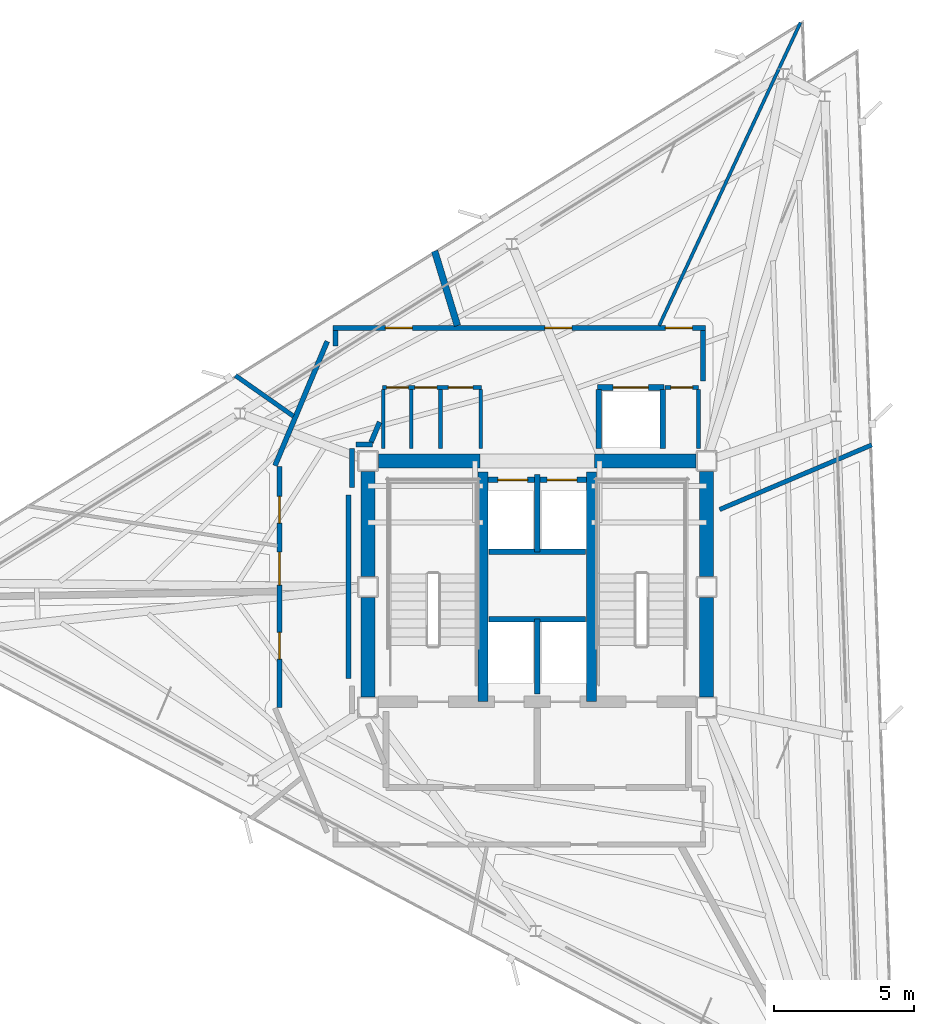
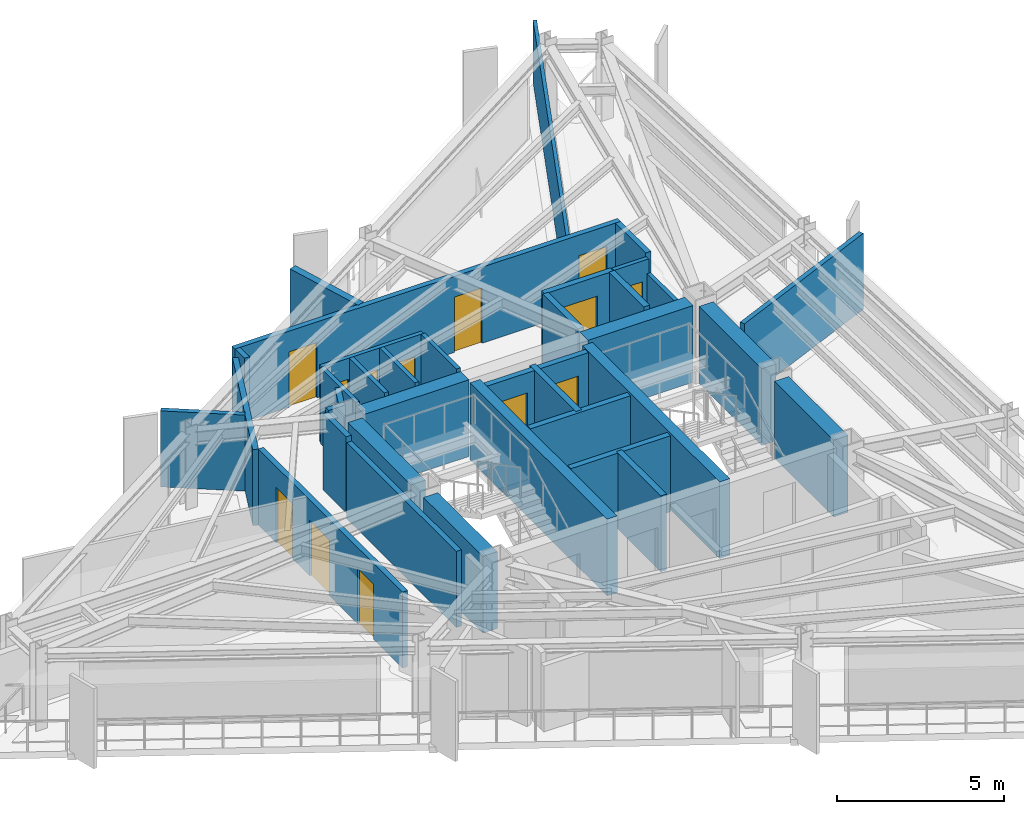
# One storey, part 9 of 13: 36 walls, 13 doors, 13 openings.
"""IFC4 building model written with IfcOpenShell, lengths in metres."""

from ifc_helpers import new_model, si_unit, direction, frame, frame_2d, origin, place, context, subcontext, project, spatial, rectangle, extrude, material, layer, layer_set, type_object, element, fill, save


model = new_model("IFC4")

# Units and contexts
model_context = context("Model", 3, precision=1e-05, world=origin(), true_north=direction((0.0, 1.0)))
body_context = subcontext(model_context, "Body", "Model", "MODEL_VIEW")
ifc_project = project(units=[si_unit("LENGTHUNIT", "METRE"), si_unit("AREAUNIT", "SQUARE_METRE"), si_unit("VOLUMEUNIT", "CUBIC_METRE"), si_unit("PLANEANGLEUNIT", "RADIAN"), si_unit("MASSUNIT", "GRAM", prefix="KILO")], contexts=[model_context])

# Site, building, storey
site_placement = place(None, origin())
site = spatial("IfcSite", under=ifc_project, at=site_placement, CompositionType="ELEMENT")
building_placement = place(site_placement, origin())
building = spatial("IfcBuilding", under=site, at=building_placement, Name="Rocaltana Carrier Exchange", CompositionType="ELEMENT")
storey_placement = place(building_placement, frame((0.0, 0.0, 199.679931640625)))
storey = spatial("IfcBuildingStorey", under=building, at=storey_placement, Name="L63", CompositionType="ELEMENT", Elevation=199.679931640625)

# Walls
ifc_material_1 = material(Name="Double Acoustic Gypsum Partition", Category="gypsum")
ifc_layer_1 = layer(ifc_material_1, 0.159912109375)
ifc_layer_set_1 = layer_set([ifc_layer_1], Name="Double Acoustic Gypsum Partition")
wall_type_1 = type_object("IfcWallType", Name="Acoustic Studio Partition 160 EI60", PredefinedType="PARTITIONING", material=ifc_layer_set_1)
wall_1_placement = place(storey_placement, frame((6.510009765625, 2.76318359375, 0.0), z_axis=(0.0, 0.0, 1.0), x_axis=(0.920487144923, 0.390772844543, 0.0)))
element("IfcWall", 1, at=wall_1_placement, inside=storey, type_object=wall_type_1, Name="L63 Suite Divider Wall D5", PredefinedType="PARTITIONING", context=body_context, shape_type="SweptSolid", body=[
    extrude(rectangle(XDim=5.904052734375, YDim=0.159912109375, at=frame_2d((2.9521484375, 0.0))), origin(), (0.0, 0.0, 1.0), 2.77294921875),
])
wall_2_placement = place(storey_placement, frame((-8.71044921875, 6.09912109375, 0.0), z_axis=(0.0, 0.0, 1.0), x_axis=(-0.819154754917, 0.573572565154, 0.0)))
element("IfcWall", 2, at=wall_2_placement, inside=storey, type_object=wall_type_1, Name="L63 Suite Divider Wall D8", PredefinedType="PARTITIONING", context=body_context, shape_type="SweptSolid", body=[
    extrude(rectangle(XDim=2.527099609375, YDim=0.159912109375, at=frame_2d((1.263671875, 0.0))), origin(), (0.0, 0.0, 1.0), 2.77294921875),
])
ifc_material_2 = material(Name="Concrete C50/60", Category="concrete")
ifc_layer_2 = layer(ifc_material_2, 0.35009765625)
ifc_layer_set_2 = layer_set([ifc_layer_2], Name="Concrete C50/60")
wall_type_2 = type_object("IfcWallType", Name="Core Internal Shear Wall 350", PredefinedType="SHEAR", material=ifc_layer_set_2)
for number, where, z_axis, x_axis, name in (
    (3, (-1.93994140625, -4.10009765625, 0.0), (0.0, 0.0, 1.0), (0.0, 1.0, 0.0), "L63 Core Shear Wall CW-STW"),
    (4, (1.93994140625, -4.10009765625, 0.0), (0.0, 0.0, 1.0), (0.0, 1.0, 0.0), "L63 Core Shear Wall CW-STE"),
):
    element("IfcWall", number, at=place(storey_placement, frame(where, z_axis=z_axis, x_axis=x_axis)), inside=storey, type_object=wall_type_2, Name=name, PredefinedType="SHEAR", context=body_context, shape_type="SweptSolid", body=[
        extrude(rectangle(XDim=8.2001953125, YDim=0.35009765625, at=frame_2d((4.10009765625, 0.0))), origin(), (0.0, 0.0, 1.0), 2.798095703125),
    ])
ifc_material_3 = material(Name="Concrete C50/60", Category="concrete")
ifc_layer_3 = layer(ifc_material_3, 0.5)
ifc_layer_set_3 = layer_set([ifc_layer_3], Name="Concrete C50/60")
wall_type_3 = type_object("IfcWallType", Name="Core Shear Wall 500", PredefinedType="SHEAR", material=ifc_layer_set_3)
wall_3_placement = place(storey_placement, frame((-6.050048828125, 0.375, 0.0), z_axis=(0.0, 0.0, 1.0), x_axis=(0.0, 1.0, 0.0)))
element("IfcWall", 5, at=wall_3_placement, inside=storey, type_object=wall_type_3, Name="L63 Core Shear Wall CW-WN", PredefinedType="SHEAR", context=body_context, shape_type="SweptSolid", body=[
    extrude(rectangle(XDim=3.75, YDim=0.5, at=frame_2d((1.875, 0.0))), origin(), (0.0, 0.0, 1.0), 2.798095703125),
])
wall_4_placement = place(storey_placement, frame((-6.050048828125, -3.925048828125, 0.0), z_axis=(0.0, 0.0, 1.0), x_axis=(0.0, 1.0, 0.0)))
element("IfcWall", 6, at=wall_4_placement, inside=storey, type_object=wall_type_3, Name="L63 Core Shear Wall CW-WS", PredefinedType="SHEAR", context=body_context, shape_type="SweptSolid", body=[
    extrude(rectangle(XDim=3.550048828125, YDim=0.5, at=frame_2d((1.77490234375, 0.0))), origin(), (0.0, 0.0, 1.0), 2.798095703125),
])
wall_5_placement = place(storey_placement, frame((6.050048828125, 0.375, 0.0), z_axis=(0.0, 0.0, 1.0), x_axis=(0.0, 1.0, 0.0)))
element("IfcWall", 7, at=wall_5_placement, inside=storey, type_object=wall_type_3, Name="L63 Core Shear Wall CW-EN", PredefinedType="SHEAR", context=body_context, shape_type="SweptSolid", body=[
    extrude(rectangle(XDim=3.75, YDim=0.5, at=frame_2d((1.875, 0.0))), origin(), (0.0, 0.0, 1.0), 2.798095703125),
])
wall_6_placement = place(storey_placement, frame((6.050048828125, -3.925048828125, 0.0), z_axis=(0.0, 0.0, 1.0), x_axis=(0.0, 1.0, 0.0)))
element("IfcWall", 8, at=wall_6_placement, inside=storey, type_object=wall_type_3, Name="L63 Core Shear Wall CW-ES", PredefinedType="SHEAR", context=body_context, shape_type="SweptSolid", body=[
    extrude(rectangle(XDim=3.550048828125, YDim=0.5, at=frame_2d((1.77490234375, 0.0))), origin(), (0.0, 0.0, 1.0), 2.798095703125),
])
for number, where, z_axis, x_axis, name in (
    (9, (-5.675048828125, 4.5, 0.0), (0.0, 0.0, 1.0), (1.0, 0.0, 0.0), "L63 Core Shear Wall CW-N1"),
    (10, (2.050048828125, 4.5, 0.0), (0.0, 0.0, 1.0), (1.0, 0.0, 0.0), "L63 Core Shear Wall CW-N2"),
):
    element("IfcWall", number, at=place(storey_placement, frame(where, z_axis=z_axis, x_axis=x_axis)), inside=storey, type_object=wall_type_3, Name=name, PredefinedType="SHEAR", context=body_context, shape_type="SweptSolid", body=[
        extrude(rectangle(XDim=3.625, YDim=0.5, at=frame_2d((1.8125, 0.0))), origin(), (0.0, 0.0, 1.0), 2.798095703125),
    ])

# Wall, openings, doors
ifc_material_4 = material(Name="Gypsum & Steel Stud Partition", Category="steel")
ifc_layer_4 = layer(ifc_material_4, 0.179931640625)
ifc_layer_set_4 = layer_set([ifc_layer_4], Name="Gypsum & Steel Stud Partition")
wall_type_4 = type_object("IfcWallType", Name="Corridor Fire Partition 180 EI60", PredefinedType="PARTITIONING", material=ifc_layer_set_4)
wall_7_placement = place(storey_placement, frame((-9.199951171875, -4.303466796875, 0.0), z_axis=(0.0, 0.0, 1.0), x_axis=(0.0, 1.0, 0.0)))
wall_7 = element("IfcWall", 11, at=wall_7_placement, inside=storey, type_object=wall_type_4, Name="L63 Corridor Partition 2", PredefinedType="PARTITIONING", context=body_context, shape_type="SweptSolid", body=[
    extrude(rectangle(XDim=8.60693359375, YDim=0.179931640625, at=frame_2d((4.303466796875, 0.0))), origin(), (0.0, 0.0, 1.0), 2.77294921875),
])
opening_1_placement = place(wall_7_placement, frame((1.720947265625, 0.0, 0.0)))
opening_1 = element("IfcOpeningElement", 12, at=opening_1_placement, cuts=wall_7, Name="Opening D-RM098", PredefinedType="OPENING", context=body_context, shape_type="SweptSolid", body=[
    extrude(rectangle(XDim=0.9599609375, YDim=2.02001953125, at=frame_2d((0.47998046875, 1.010009765625))), frame((0.0, 0.099853515625, 0.0), z_axis=(0.0, -1.0, 0.0), x_axis=(1.0, 0.0, 0.0)), (0.0, 0.0, 1.0), 0.199951171875),
])
opening_2_placement = place(wall_7_placement, frame((6.580322265625, 0.0, 0.0)))
opening_2 = element("IfcOpeningElement", 13, at=opening_2_placement, cuts=wall_7, Name="Opening D-RM098", PredefinedType="OPENING", context=body_context, shape_type="SweptSolid", body=[
    extrude(rectangle(XDim=0.9599609375, YDim=2.02001953125, at=frame_2d((0.47998046875, 1.010009765625))), frame((0.0, 0.099853515625, 0.0), z_axis=(0.0, -1.0, 0.0), x_axis=(1.0, 0.0, 0.0)), (0.0, 0.0, 1.0), 0.199951171875),
])
opening_3_placement = place(wall_7_placement, frame((4.366943359375, 0.0, 0.0)))
opening_3 = element("IfcOpeningElement", 14, at=opening_3_placement, cuts=wall_7, Name="Opening D-SU120", PredefinedType="OPENING", context=body_context, shape_type="SweptSolid", body=[
    extrude(rectangle(XDim=1.179931640625, YDim=2.02001953125, at=frame_2d((0.58984375, 1.010009765625))), frame((0.0, 0.099853515625, 0.0), z_axis=(0.0, -1.0, 0.0), x_axis=(1.0, 0.0, 0.0)), (0.0, 0.0, 1.0), 0.199951171875),
])
ifc_material_5 = material(Name="Engineered Hardwood Timber", Category="wood")
door_type_1 = type_object("IfcDoorType", Name="Suite Double Entrance Door 1180x2020", OperationType="NOTDEFINED", PredefinedType="DOOR", material=ifc_material_5)
door_1_placement = place(opening_3_placement, origin())
door_1 = element("IfcDoor", 15, at=door_1_placement, inside=storey, type_object=door_type_1, Name="L63 Carrier Peering Suite Entrance Door", OperationType="SINGLE_SWING_RIGHT", OverallHeight=2.02001953125, OverallWidth=1.179931640625, PredefinedType="DOOR", context=body_context, shape_type="SweptSolid", body=[
    extrude(rectangle(XDim=1.179931640625, YDim=2.02001953125, at=frame_2d((0.58984375, 1.010009765625))), frame((0.0, 0.02490234375, 0.0), z_axis=(0.0, -1.0, 0.0), x_axis=(1.0, 0.0, 0.0)), (0.0, 0.0, 1.0), 0.050048828125),
])
fill(opening_3, door_1)
ifc_material_6 = material(Name="Engineered Hardwood Timber", Category="wood")
door_type_2 = type_object("IfcDoorType", Name="Workspace Single Door 960x2020", OperationType="NOTDEFINED", PredefinedType="DOOR", material=ifc_material_6)
door_2_placement = place(opening_1_placement, origin())
door_2 = element("IfcDoor", 16, at=door_2_placement, inside=storey, type_object=door_type_2, Name="L63 Peering Conference Room Entrance Door", OperationType="SINGLE_SWING_RIGHT", OverallHeight=2.02001953125, OverallWidth=0.9599609375, PredefinedType="DOOR", context=body_context, shape_type="SweptSolid", body=[
    extrude(rectangle(XDim=0.9599609375, YDim=2.02001953125, at=frame_2d((0.47998046875, 1.010009765625))), frame((0.0, 0.02490234375, 0.0), z_axis=(0.0, -1.0, 0.0), x_axis=(1.0, 0.0, 0.0)), (0.0, 0.0, 1.0), 0.050048828125),
])
fill(opening_1, door_2)
door_3_placement = place(opening_2_placement, origin())
door_3 = element("IfcDoor", 17, at=door_3_placement, inside=storey, type_object=door_type_2, Name="L63 Incident Briefing Room Entrance Door", OperationType="SINGLE_SWING_LEFT", OverallHeight=2.02001953125, OverallWidth=0.9599609375, PredefinedType="DOOR", context=body_context, shape_type="SweptSolid", body=[
    extrude(rectangle(XDim=0.9599609375, YDim=2.02001953125, at=frame_2d((0.47998046875, 1.010009765625))), frame((0.0, 0.02490234375, 0.0), z_axis=(0.0, -1.0, 0.0), x_axis=(1.0, 0.0, 0.0)), (0.0, 0.0, 1.0), 0.050048828125),
])
fill(opening_2, door_3)

# Walls
wall_8_placement = place(storey_placement, frame((-9.36669921875, 4.331787109375, 0.0), z_axis=(0.0, 0.0, 1.0), x_axis=(0.387573945081, 0.921838617706, 0.0)))
element("IfcWall", 18, at=wall_8_placement, inside=storey, type_object=wall_type_4, Name="L63 Corridor Partition 3", PredefinedType="PARTITIONING", context=body_context, shape_type="SweptSolid", body=[
    extrude(rectangle(XDim=4.813232421875, YDim=0.179931640625, at=frame_2d((2.40673828125, 0.0))), origin(), (0.0, 0.0, 1.0), 2.77294921875),
])
wall_9_placement = place(storey_placement, frame((-7.199951171875, 8.6005859375, 0.0), z_axis=(0.0, 0.0, 1.0), x_axis=(0.0, 1.0, 0.0)))
element("IfcWall", 19, at=wall_9_placement, inside=storey, type_object=wall_type_4, Name="L63 Corridor Partition 4", PredefinedType="PARTITIONING", context=body_context, shape_type="SweptSolid", body=[
    extrude(rectangle(XDim=0.559326171875, YDim=0.179931640625, at=frame_2d((0.27978515625, 0.0))), origin(), (0.0, 0.0, 1.0), 2.77294921875),
])

# Wall, openings, doors
wall_10_placement = place(storey_placement, frame((-7.2900390625, 9.25, 0.0), z_axis=(0.0, 0.0, 1.0), x_axis=(1.0, 0.0, 0.0)))
wall_10 = element("IfcWall", 20, at=wall_10_placement, inside=storey, type_object=wall_type_4, Name="L63 Corridor Partition 5", PredefinedType="PARTITIONING", context=body_context, shape_type="SweptSolid", body=[
    extrude(rectangle(XDim=13.300048828125, YDim=0.179931640625, at=frame_2d((6.64990234375, 0.0))), origin(), (0.0, 0.0, 1.0), 2.77294921875),
])
opening_4_placement = place(wall_10_placement, frame((11.8642578125, 0.0, 0.0)))
opening_4 = element("IfcOpeningElement", 21, at=opening_4_placement, cuts=wall_10, Name="Opening D-RM098", PredefinedType="OPENING", context=body_context, shape_type="SweptSolid", body=[
    extrude(rectangle(XDim=0.9599609375, YDim=2.02001953125, at=frame_2d((0.47998046875, 1.010009765625))), frame((0.0, 0.099853515625, 0.0), z_axis=(0.0, -1.0, 0.0), x_axis=(1.0, 0.0, 0.0)), (0.0, 0.0, 1.0), 0.199951171875),
])
opening_5_placement = place(wall_10_placement, frame((7.560546875, 0.0, 0.0)))
opening_5 = element("IfcOpeningElement", 22, at=opening_5_placement, cuts=wall_10, Name="Opening D-RM098", PredefinedType="OPENING", context=body_context, shape_type="SweptSolid", body=[
    extrude(rectangle(XDim=0.9599609375, YDim=2.02001953125, at=frame_2d((0.47998046875, 1.010009765625))), frame((0.0, 0.099853515625, 0.0), z_axis=(0.0, -1.0, 0.0), x_axis=(1.0, 0.0, 0.0)), (0.0, 0.0, 1.0), 0.199951171875),
])
opening_6_placement = place(wall_10_placement, frame((1.8671875, 0.0, 0.0)))
opening_6 = element("IfcOpeningElement", 23, at=opening_6_placement, cuts=wall_10, Name="Opening D-RM098", PredefinedType="OPENING", context=body_context, shape_type="SweptSolid", body=[
    extrude(rectangle(XDim=0.9599609375, YDim=2.02001953125, at=frame_2d((0.47998046875, 1.010009765625))), frame((0.0, 0.099853515625, 0.0), z_axis=(0.0, -1.0, 0.0), x_axis=(1.0, 0.0, 0.0)), (0.0, 0.0, 1.0), 0.199951171875),
])
door_4_placement = place(opening_4_placement, origin())
door_4 = element("IfcDoor", 24, at=door_4_placement, inside=storey, type_object=door_type_2, Name="L63 Executive Peering Boardroom Entrance Door", OperationType="SINGLE_SWING_RIGHT", OverallHeight=2.02001953125, OverallWidth=0.9599609375, PredefinedType="DOOR", context=body_context, shape_type="SweptSolid", body=[
    extrude(rectangle(XDim=0.9599609375, YDim=2.02001953125, at=frame_2d((0.47998046875, 1.010009765625))), frame((0.0, 0.02490234375, 0.0), z_axis=(0.0, -1.0, 0.0), x_axis=(1.0, 0.0, 0.0)), (0.0, 0.0, 1.0), 0.050048828125),
])
fill(opening_4, door_4)
door_5_placement = place(opening_5_placement, origin())
door_5 = element("IfcDoor", 25, at=door_5_placement, inside=storey, type_object=door_type_2, Name="L63 Peering Conference Room Entrance Door", OperationType="SINGLE_SWING_LEFT", OverallHeight=2.02001953125, OverallWidth=0.9599609375, PredefinedType="DOOR", context=body_context, shape_type="SweptSolid", body=[
    extrude(rectangle(XDim=0.9599609375, YDim=2.02001953125, at=frame_2d((0.47998046875, 1.010009765625))), frame((0.0, 0.02490234375, 0.0), z_axis=(0.0, -1.0, 0.0), x_axis=(1.0, 0.0, 0.0)), (0.0, 0.0, 1.0), 0.050048828125),
])
fill(opening_5, door_5)
door_6_placement = place(opening_6_placement, origin())
door_6 = element("IfcDoor", 26, at=door_6_placement, inside=storey, type_object=door_type_2, Name="L63 Quiet Focus Lounge Entrance Door", OperationType="SINGLE_SWING_RIGHT", OverallHeight=2.02001953125, OverallWidth=0.9599609375, PredefinedType="DOOR", context=body_context, shape_type="SweptSolid", body=[
    extrude(rectangle(XDim=0.9599609375, YDim=2.02001953125, at=frame_2d((0.47998046875, 1.010009765625))), frame((0.0, 0.02490234375, 0.0), z_axis=(0.0, -1.0, 0.0), x_axis=(1.0, 0.0, 0.0)), (0.0, 0.0, 1.0), 0.050048828125),
])
fill(opening_6, door_6)

# Walls
wall_11_placement = place(storey_placement, frame((5.919921875, 9.159912109375, 0.0), z_axis=(0.0, 0.0, 1.0), x_axis=(0.0, -1.0, 0.0)))
element("IfcWall", 27, at=wall_11_placement, inside=storey, type_object=wall_type_4, Name="L63 Corridor Partition 6", PredefinedType="PARTITIONING", context=body_context, shape_type="SweptSolid", body=[
    extrude(rectangle(XDim=1.7998046875, YDim=0.179931640625, at=frame_2d((0.89990234375, 0.0))), origin(), (0.0, 0.0, 1.0), 2.77294921875),
])
wall_12_placement = place(storey_placement, frame((-5.632080078125, 5.88671875, 0.0), z_axis=(0.0, 0.0, 1.0), x_axis=(-0.387792833522, -0.921746558588, 0.0)))
element("IfcWall", 28, at=wall_12_placement, inside=storey, type_object=wall_type_4, Name="L63 Corridor Partition 8", PredefinedType="PARTITIONING", context=body_context, shape_type="SweptSolid", body=[
    extrude(rectangle(XDim=0.78515625, YDim=0.179931640625, at=frame_2d((0.392578125, 0.0))), origin(), (0.0, 0.0, 1.0), 2.77294921875),
])
wall_13_placement = place(storey_placement, frame((-5.88134765625, 5.080078125, 0.0), z_axis=(0.0, 0.0, 1.0), x_axis=(-1.0, 0.0, 0.0)))
element("IfcWall", 29, at=wall_13_placement, inside=storey, type_object=wall_type_4, Name="L63 Corridor Partition 9", PredefinedType="PARTITIONING", context=body_context, shape_type="SweptSolid", body=[
    extrude(rectangle(XDim=0.588623046875, YDim=0.179931640625, at=frame_2d((0.29443359375, 0.0))), origin(), (0.0, 0.0, 1.0), 2.77294921875),
])
wall_14_placement = place(storey_placement, frame((-6.610107421875, 4.93994140625, 0.0), z_axis=(0.0, 0.0, 1.0), x_axis=(0.0, -1.0, 0.0)))
element("IfcWall", 30, at=wall_14_placement, inside=storey, type_object=wall_type_4, Name="L63 Corridor Partition 10", PredefinedType="PARTITIONING", context=body_context, shape_type="SweptSolid", body=[
    extrude(rectangle(XDim=1.398681640625, YDim=0.179931640625, at=frame_2d((0.69921875, 0.0))), origin(), (0.0, 0.0, 1.0), 2.77294921875),
])
wall_15_placement = place(storey_placement, frame((-6.75, 3.2734375, 0.0), z_axis=(0.0, 0.0, 1.0), x_axis=(0.0, -1.0, 0.0)))
element("IfcWall", 31, at=wall_15_placement, inside=storey, type_object=wall_type_4, Name="L63 Corridor Partition 11", PredefinedType="PARTITIONING", context=body_context, shape_type="SweptSolid", body=[
    extrude(rectangle(XDim=6.546875, YDim=0.179931640625, at=frame_2d((3.2734375, 0.0))), origin(), (0.0, 0.0, 1.0), 2.77294921875),
])
ifc_material_7 = material(Name="Aluminium 6063-T6 & Acoustic Glass", Category="aluminium")
ifc_layer_5 = layer(ifc_material_7, 0.114990234375)
ifc_layer_set_5 = layer_set([ifc_layer_5], Name="Aluminium 6063-T6 & Acoustic Glass")
wall_type_5 = type_object("IfcWallType", Name="Demountable Glazed Lab Partition 115", PredefinedType="MOVABLE", material=ifc_layer_set_5)
wall_16_placement = place(storey_placement, frame((4.3505859375, 9.330078125, 0.0), z_axis=(0.0, 0.0, 1.0), x_axis=(0.422616983209, 0.906308383225, 0.0)))
element("IfcWall", 32, at=wall_16_placement, inside=storey, type_object=wall_type_5, Name="L63 Suite Divider Wall D6", PredefinedType="MOVABLE", context=body_context, shape_type="SweptSolid", body=[
    extrude(rectangle(XDim=11.9482421875, YDim=0.114990234375, at=frame_2d((5.97412109375, 0.0))), origin(), (0.0, 0.0, 1.0), 2.253173828125),
])
ifc_material_8 = material(Name="Acoustic Calcium Silicate Partition", Category="gypsum")
ifc_layer_6 = layer(ifc_material_8, 0.239990234375)
ifc_layer_set_6 = layer_set([ifc_layer_6], Name="Acoustic Calcium Silicate Partition")
wall_type_6 = type_object("IfcWallType", Name="Heavy Lab Partition 240 EI90", PredefinedType="PARTITIONING", material=ifc_layer_set_6)
wall_17_placement = place(storey_placement, frame((-2.8525390625, 9.330078125, 0.0), z_axis=(0.0, 0.0, 1.0), x_axis=(-0.292329881005, 0.956317541757, 0.0)))
element("IfcWall", 33, at=wall_17_placement, inside=storey, type_object=wall_type_6, Name="L63 Suite Divider Wall D7", PredefinedType="PARTITIONING", context=body_context, shape_type="SweptSolid", body=[
    extrude(rectangle(XDim=2.78515625, YDim=0.239990234375, at=frame_2d((1.392578125, 0.0))), origin(), (0.0, 0.0, 1.0), 2.77294921875),
])
ifc_material_9 = material(Name="Reinforced Concrete Block C35/45", Category="concrete")
ifc_layer_7 = layer(ifc_material_9, 0.199951171875)
ifc_layer_set_7 = layer_set([ifc_layer_7], Name="Reinforced Concrete Block C35/45")
wall_type_7 = type_object("IfcWallType", Name="Lift Hoistway Enclosure Wall 200 EI120", PredefinedType="PARTITIONING", material=ifc_layer_set_7)
wall_18_placement = place(storey_placement, frame((0.0, -3.820068359375, 0.0), z_axis=(0.0, 0.0, 1.0), x_axis=(0.0, 1.0, 0.0)))
element("IfcWall", 34, at=wall_18_placement, inside=storey, type_object=wall_type_7, Name="L63 FFL Shaft Divider", PredefinedType="PARTITIONING", context=body_context, shape_type="SweptSolid", body=[
    extrude(rectangle(XDim=2.670166015625, YDim=0.199951171875, at=frame_2d((1.3349609375, 0.0))), origin(), (0.0, 0.0, 1.0), 2.77294921875),
])
wall_19_placement = place(storey_placement, frame((-1.719970703125, -1.14990234375, 0.0), z_axis=(0.0, 0.0, 1.0), x_axis=(1.0, 0.0, 0.0)))
element("IfcWall", 35, at=wall_19_placement, inside=storey, type_object=wall_type_7, Name="L63 FFL Shaft Back Wall", PredefinedType="PARTITIONING", context=body_context, shape_type="SweptSolid", body=[
    extrude(rectangle(XDim=3.43994140625, YDim=0.199951171875, at=frame_2d((1.719970703125, 0.0))), origin(), (0.0, 0.0, 1.0), 2.77294921875),
])
wall_20_placement = place(storey_placement, frame((0.0, 1.25, 0.0), z_axis=(0.0, 0.0, 1.0), x_axis=(0.0, 1.0, 0.0)))
element("IfcWall", 36, at=wall_20_placement, inside=storey, type_object=wall_type_7, Name="L63 High-Rise Shaft Divider", PredefinedType="PARTITIONING", context=body_context, shape_type="SweptSolid", body=[
    extrude(rectangle(XDim=2.77001953125, YDim=0.199951171875, at=frame_2d((1.385009765625, 0.0))), origin(), (0.0, 0.0, 1.0), 2.77294921875),
])
wall_21_placement = place(storey_placement, frame((-1.719970703125, 1.25, 0.0), z_axis=(0.0, 0.0, 1.0), x_axis=(1.0, 0.0, 0.0)))
element("IfcWall", 37, at=wall_21_placement, inside=storey, type_object=wall_type_7, Name="L63 High-Rise Shaft Back Wall", PredefinedType="PARTITIONING", context=body_context, shape_type="SweptSolid", body=[
    extrude(rectangle(XDim=3.43994140625, YDim=0.199951171875, at=frame_2d((1.719970703125, 0.0))), origin(), (0.0, 0.0, 1.0), 2.77294921875),
])

# Wall, openings, doors
wall_22_placement = place(storey_placement, frame((-1.760009765625, 3.820068359375, 0.0), z_axis=(0.0, 0.0, 1.0), x_axis=(1.0, 0.0, 0.0)))
wall_22 = element("IfcWall", 38, at=wall_22_placement, inside=storey, type_object=wall_type_7, Name="L63 High-Rise Lift Front Wall", PredefinedType="PARTITIONING", context=body_context, shape_type="SweptSolid", body=[
    extrude(rectangle(XDim=3.52001953125, YDim=0.199951171875, at=frame_2d((1.760009765625, 0.0))), origin(), (0.0, 0.0, 1.0), 2.77294921875),
])
opening_7_placement = place(wall_22_placement, frame((0.35009765625, 0.0, 0.0)))
opening_7 = element("IfcOpeningElement", 39, at=opening_7_placement, cuts=wall_22, Name="Opening LD-110", PredefinedType="OPENING", context=body_context, shape_type="SweptSolid", body=[
    extrude(rectangle(XDim=1.06005859375, YDim=2.0400390625, at=frame_2d((0.530029296875, 1.02001953125))), frame((0.0, 0.10986328125, 0.0), z_axis=(0.0, -1.0, 0.0), x_axis=(1.0, 0.0, 0.0)), (0.0, 0.0, 1.0), 0.219970703125),
])
opening_8_placement = place(wall_22_placement, frame((2.110107421875, 0.0, 0.0)))
opening_8 = element("IfcOpeningElement", 40, at=opening_8_placement, cuts=wall_22, Name="Opening LD-110", PredefinedType="OPENING", context=body_context, shape_type="SweptSolid", body=[
    extrude(rectangle(XDim=1.06005859375, YDim=2.0400390625, at=frame_2d((0.530029296875, 1.02001953125))), frame((0.0, 0.10986328125, 0.0), z_axis=(0.0, -1.0, 0.0), x_axis=(1.0, 0.0, 0.0)), (0.0, 0.0, 1.0), 0.219970703125),
])
ifc_material_10 = material(Name="Brushed Stainless Sliding Door Leaf", Category="steel")
door_type_3 = type_object("IfcDoorType", Name="Lift Landing Sliding Door 1060x2040", OperationType="NOTDEFINED", PredefinedType="DOOR", material=ifc_material_10)
door_7_placement = place(opening_7_placement, origin())
door_7 = element("IfcDoor", 41, at=door_7_placement, inside=storey, type_object=door_type_3, Name="L63 High-Rise Lift PLH1 Landing Door", OperationType="SLIDING_TO_LEFT", OverallHeight=2.0400390625, OverallWidth=1.06005859375, PredefinedType="DOOR", context=body_context, shape_type="SweptSolid", body=[
    extrude(rectangle(XDim=1.06005859375, YDim=2.0400390625, at=frame_2d((0.530029296875, 1.02001953125))), frame((0.0, 0.02490234375, 0.0), z_axis=(0.0, -1.0, 0.0), x_axis=(1.0, 0.0, 0.0)), (0.0, 0.0, 1.0), 0.050048828125),
])
fill(opening_7, door_7)
door_8_placement = place(opening_8_placement, origin())
door_8 = element("IfcDoor", 42, at=door_8_placement, inside=storey, type_object=door_type_3, Name="L63 High-Rise Lift PLH2 Landing Door", OperationType="SLIDING_TO_RIGHT", OverallHeight=2.0400390625, OverallWidth=1.06005859375, PredefinedType="DOOR", context=body_context, shape_type="SweptSolid", body=[
    extrude(rectangle(XDim=1.06005859375, YDim=2.0400390625, at=frame_2d((0.530029296875, 1.02001953125))), frame((0.0, 0.02490234375, 0.0), z_axis=(0.0, -1.0, 0.0), x_axis=(1.0, 0.0, 0.0)), (0.0, 0.0, 1.0), 0.050048828125),
])
fill(opening_8, door_8)

# Walls
for number, where, z_axis, x_axis, name in (
    (43, (2.199951171875, 4.949951171875, 0.0), (0.0, 0.0, 1.0), (0.0, 1.0, 0.0), "L63 Goods Lift West Wall"),
    (44, (4.47998046875, 4.949951171875, 0.0), (0.0, 0.0, 1.0), (0.0, 1.0, 0.0), "L63 Goods Lift East Wall"),
):
    element("IfcWall", number, at=place(storey_placement, frame(where, z_axis=z_axis, x_axis=x_axis)), inside=storey, type_object=wall_type_7, Name=name, PredefinedType="PARTITIONING", context=body_context, shape_type="SweptSolid", body=[
        extrude(rectangle(XDim=2.10009765625, YDim=0.199951171875, at=frame_2d((1.050048828125, 0.0))), origin(), (0.0, 0.0, 1.0), 2.77294921875),
    ])

# Wall, opening, door
wall_23_placement = place(storey_placement, frame((2.14990234375, 7.1201171875, 0.0), z_axis=(0.0, 0.0, 1.0), x_axis=(1.0, 0.0, 0.0)))
wall_23 = element("IfcWall", 45, at=wall_23_placement, inside=storey, type_object=wall_type_7, Name="L63 Goods Lift Front Wall", PredefinedType="PARTITIONING", context=body_context, shape_type="SweptSolid", body=[
    extrude(rectangle(XDim=2.380126953125, YDim=0.199951171875, at=frame_2d((1.18994140625, 0.0))), origin(), (0.0, 0.0, 1.0), 2.77294921875),
])
opening_9_placement = place(wall_23_placement, frame((0.56005859375, 0.0, 0.0)))
opening_9 = element("IfcOpeningElement", 46, at=opening_9_placement, cuts=wall_23, Name="Opening LD-130", PredefinedType="OPENING", context=body_context, shape_type="SweptSolid", body=[
    extrude(rectangle(XDim=1.260009765625, YDim=2.06005859375, at=frame_2d((0.6298828125, 1.030029296875))), frame((0.0, 0.10986328125, 0.0), z_axis=(0.0, -1.0, 0.0), x_axis=(1.0, 0.0, 0.0)), (0.0, 0.0, 1.0), 0.219970703125),
])
ifc_material_11 = material(Name="Brushed Stainless Sliding Door Leaf", Category="steel")
door_type_4 = type_object("IfcDoorType", Name="Goods Lift Landing Sliding Door 1260x2060", OperationType="NOTDEFINED", PredefinedType="DOOR", material=ifc_material_11)
door_9_placement = place(opening_9_placement, origin())
door_9 = element("IfcDoor", 47, at=door_9_placement, inside=storey, type_object=door_type_4, Name="L63 Goods Lift GL-1 Landing Door", OperationType="SLIDING_TO_LEFT", OverallHeight=2.06005859375, OverallWidth=1.260009765625, PredefinedType="DOOR", context=body_context, shape_type="SweptSolid", body=[
    extrude(rectangle(XDim=1.260009765625, YDim=2.06005859375, at=frame_2d((0.6298828125, 1.030029296875))), frame((0.0, 0.02490234375, 0.0), z_axis=(0.0, -1.0, 0.0), x_axis=(1.0, 0.0, 0.0)), (0.0, 0.0, 1.0), 0.050048828125),
])
fill(opening_9, door_9)

# Walls
ifc_material_12 = material(Name="Moisture-Resistant Masonry C30/37", Category="masonry")
ifc_layer_8 = layer(ifc_material_12, 0.139892578125)
ifc_layer_set_8 = layer_set([ifc_layer_8], Name="Moisture-Resistant Masonry C30/37")
wall_type_8 = type_object("IfcWallType", Name="Wet-Area Sanitary Partition 140", PredefinedType="PARTITIONING", material=ifc_layer_set_8)
for number, where, z_axis, x_axis, name in (
    (48, (-5.5, 4.949951171875, 0.0), (0.0, 0.0, 1.0), (0.0, 1.0, 0.0), "L63 Sanitary West Wall"),
    (49, (-4.5, 4.949951171875, 0.0), (0.0, 0.0, 1.0), (0.0, 1.0, 0.0), "L63 Sanitary Divider 1"),
    (50, (-3.449951171875, 4.949951171875, 0.0), (0.0, 0.0, 1.0), (0.0, 1.0, 0.0), "L63 Sanitary Divider 2"),
    (51, (-2.02001953125, 4.949951171875, 0.0), (0.0, 0.0, 1.0), (0.0, 1.0, 0.0), "L63 Sanitary East Wall"),
):
    element("IfcWall", number, at=place(storey_placement, frame(where, z_axis=z_axis, x_axis=x_axis)), inside=storey, type_object=wall_type_8, Name=name, PredefinedType="PARTITIONING", context=body_context, shape_type="SweptSolid", body=[
        extrude(rectangle(XDim=2.10009765625, YDim=0.139892578125, at=frame_2d((1.050048828125, 0.0))), origin(), (0.0, 0.0, 1.0), 2.77294921875),
    ])

# Wall, openings, doors
wall_24_placement = place(storey_placement, frame((-5.52001953125, 7.1201171875, 0.0), z_axis=(0.0, 0.0, 1.0), x_axis=(1.0, 0.0, 0.0)))
wall_24 = element("IfcWall", 52, at=wall_24_placement, inside=storey, type_object=wall_type_8, Name="L63 Sanitary North Wall", PredefinedType="PARTITIONING", context=body_context, shape_type="SweptSolid", body=[
    extrude(rectangle(XDim=3.52001953125, YDim=0.139892578125, at=frame_2d((1.760009765625, 0.0))), origin(), (0.0, 0.0, 1.0), 2.77294921875),
])
opening_10_placement = place(wall_24_placement, frame((0.139892578125, 0.0, 0.0)))
opening_10 = element("IfcOpeningElement", 53, at=opening_10_placement, cuts=wall_24, Name="Opening D-RS082", PredefinedType="OPENING", context=body_context, shape_type="SweptSolid", body=[
    extrude(rectangle(XDim=0.780029296875, YDim=2.010009765625, at=frame_2d((0.39013671875, 1.0048828125))), frame((0.0, 0.079833984375, 0.0), z_axis=(0.0, -1.0, 0.0), x_axis=(1.0, 0.0, 0.0)), (0.0, 0.0, 1.0), 0.159912109375),
])
opening_11_placement = place(wall_24_placement, frame((1.14990234375, 0.0, 0.0)))
opening_11 = element("IfcOpeningElement", 54, at=opening_11_placement, cuts=wall_24, Name="Opening D-RS082", PredefinedType="OPENING", context=body_context, shape_type="SweptSolid", body=[
    extrude(rectangle(XDim=0.780029296875, YDim=2.010009765625, at=frame_2d((0.39013671875, 1.0048828125))), frame((0.0, 0.079833984375, 0.0), z_axis=(0.0, -1.0, 0.0), x_axis=(1.0, 0.0, 0.0)), (0.0, 0.0, 1.0), 0.159912109375),
])
opening_12_placement = place(wall_24_placement, frame((2.340087890625, 0.0, 0.0)))
opening_12 = element("IfcOpeningElement", 55, at=opening_12_placement, cuts=wall_24, Name="Opening D-WC090", PredefinedType="OPENING", context=body_context, shape_type="SweptSolid", body=[
    extrude(rectangle(XDim=0.8798828125, YDim=2.02001953125, at=frame_2d((0.43994140625, 1.010009765625))), frame((0.0, 0.079833984375, 0.0), z_axis=(0.0, -1.0, 0.0), x_axis=(1.0, 0.0, 0.0)), (0.0, 0.0, 1.0), 0.159912109375),
])
ifc_material_13 = material(Name="High-Pressure Laminate Timber", Category="wood")
door_type_5 = type_object("IfcDoorType", Name="Restroom & Accessible WC Door 880x2020", OperationType="NOTDEFINED", PredefinedType="DOOR", material=ifc_material_13)
door_10_placement = place(opening_12_placement, origin())
door_10 = element("IfcDoor", 56, at=door_10_placement, inside=storey, type_object=door_type_5, Name="L63 Accessible Toilet Door", OperationType="SINGLE_SWING_RIGHT", OverallHeight=2.02001953125, OverallWidth=0.8798828125, PredefinedType="DOOR", context=body_context, shape_type="SweptSolid", body=[
    extrude(rectangle(XDim=0.8798828125, YDim=2.02001953125, at=frame_2d((0.43994140625, 1.010009765625))), frame((0.0, 0.02490234375, 0.0), z_axis=(0.0, -1.0, 0.0), x_axis=(1.0, 0.0, 0.0)), (0.0, 0.0, 1.0), 0.050048828125),
])
fill(opening_12, door_10)
ifc_material_14 = material(Name="Hollow Metal Access Door Leaf", Category="steel")
door_type_6 = type_object("IfcDoorType", Name="Riser & Service Closet Door 780x2010", OperationType="NOTDEFINED", PredefinedType="DOOR", material=ifc_material_14)
door_11_placement = place(opening_10_placement, origin())
door_11 = element("IfcDoor", 57, at=door_11_placement, inside=storey, type_object=door_type_6, Name="L63 Cleaner Store Door", OperationType="SINGLE_SWING_RIGHT", OverallHeight=2.010009765625, OverallWidth=0.780029296875, PredefinedType="DOOR", context=body_context, shape_type="SweptSolid", body=[
    extrude(rectangle(XDim=0.780029296875, YDim=2.010009765625, at=frame_2d((0.39013671875, 1.0048828125))), frame((0.0, 0.02490234375, 0.0), z_axis=(0.0, -1.0, 0.0), x_axis=(1.0, 0.0, 0.0)), (0.0, 0.0, 1.0), 0.050048828125),
])
fill(opening_10, door_11)
door_12_placement = place(opening_11_placement, origin())
door_12 = element("IfcDoor", 58, at=door_12_placement, inside=storey, type_object=door_type_6, Name="L63 Staff Restroom Door", OperationType="SINGLE_SWING_LEFT", OverallHeight=2.010009765625, OverallWidth=0.780029296875, PredefinedType="DOOR", context=body_context, shape_type="SweptSolid", body=[
    extrude(rectangle(XDim=0.780029296875, YDim=2.010009765625, at=frame_2d((0.39013671875, 1.0048828125))), frame((0.0, 0.02490234375, 0.0), z_axis=(0.0, -1.0, 0.0), x_axis=(1.0, 0.0, 0.0)), (0.0, 0.0, 1.0), 0.050048828125),
])
fill(opening_11, door_12)

# Wall
wall_25_placement = place(storey_placement, frame((5.760009765625, 4.949951171875, 0.0), z_axis=(0.0, 0.0, 1.0), x_axis=(0.0, 1.0, 0.0)))
element("IfcWall", 59, at=wall_25_placement, inside=storey, type_object=wall_type_8, Name="L63 Riser East Wall", PredefinedType="PARTITIONING", context=body_context, shape_type="SweptSolid", body=[
    extrude(rectangle(XDim=2.10009765625, YDim=0.139892578125, at=frame_2d((1.050048828125, 0.0))), origin(), (0.0, 0.0, 1.0), 2.253173828125),
])

# Wall, opening, door
wall_26_placement = place(storey_placement, frame((4.56005859375, 7.1201171875, 0.0), z_axis=(0.0, 0.0, 1.0), x_axis=(1.0, 0.0, 0.0)))
wall_26 = element("IfcWall", 60, at=wall_26_placement, inside=storey, type_object=wall_type_8, Name="L63 Riser North Wall", PredefinedType="PARTITIONING", context=body_context, shape_type="SweptSolid", body=[
    extrude(rectangle(XDim=1.199951171875, YDim=0.139892578125, at=frame_2d((0.60009765625, 0.0))), origin(), (0.0, 0.0, 1.0), 2.77294921875),
])
opening_13_placement = place(wall_26_placement, frame((0.2099609375, 0.0, 0.0)))
opening_13 = element("IfcOpeningElement", 61, at=opening_13_placement, cuts=wall_26, Name="Opening D-RS082", PredefinedType="OPENING", context=body_context, shape_type="SweptSolid", body=[
    extrude(rectangle(XDim=0.780029296875, YDim=2.010009765625, at=frame_2d((0.39013671875, 1.0048828125))), frame((0.0, 0.079833984375, 0.0), z_axis=(0.0, -1.0, 0.0), x_axis=(1.0, 0.0, 0.0)), (0.0, 0.0, 1.0), 0.159912109375),
])
door_13_placement = place(opening_13_placement, origin())
door_13 = element("IfcDoor", 62, at=door_13_placement, inside=storey, type_object=door_type_6, Name="L63 Signal Riser Closet Door", OperationType="SINGLE_SWING_LEFT", OverallHeight=2.010009765625, OverallWidth=0.780029296875, PredefinedType="DOOR", context=body_context, shape_type="SweptSolid", body=[
    extrude(rectangle(XDim=0.780029296875, YDim=2.010009765625, at=frame_2d((0.39013671875, 1.0048828125))), frame((0.0, 0.02490234375, 0.0), z_axis=(0.0, -1.0, 0.0), x_axis=(1.0, 0.0, 0.0)), (0.0, 0.0, 1.0), 0.050048828125),
])
fill(opening_13, door_13)

save(model, "model.ifc")
